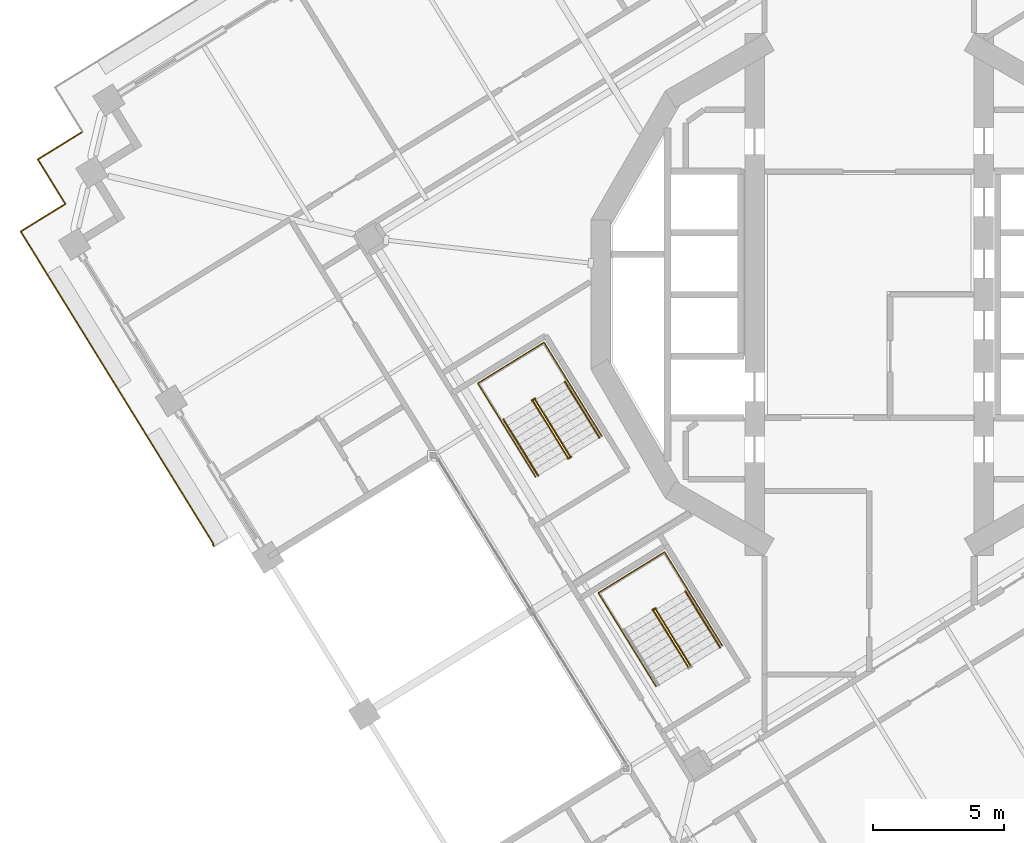
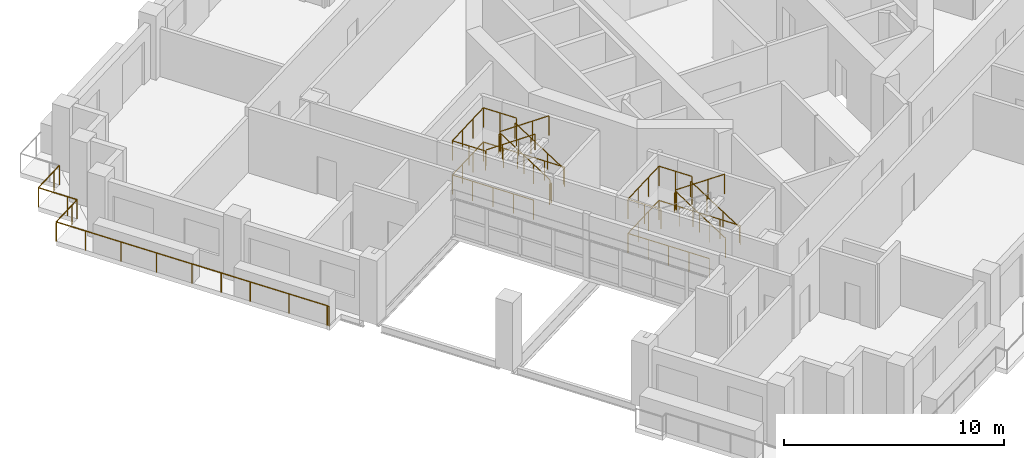
# One storey, part 16 of 22: 13 railings.
"""IFC4 building model written with IfcOpenShell, lengths in metres."""

from ifc_helpers import new_model, si_unit, direction, frame, origin, origin_2d, place, context, subcontext, project, spatial, circle, extrude, material, type_object, element, save


model = new_model("IFC4")

# Units and contexts
model_context = context("Model", 3, precision=1e-05, world=origin(), true_north=direction((0.0, 1.0)))
body_context = subcontext(model_context, "Body", "Model", "MODEL_VIEW")
ifc_project = project(units=[si_unit("LENGTHUNIT", "METRE"), si_unit("AREAUNIT", "SQUARE_METRE"), si_unit("VOLUMEUNIT", "CUBIC_METRE"), si_unit("PLANEANGLEUNIT", "RADIAN"), si_unit("MASSUNIT", "GRAM", prefix="KILO")], contexts=[model_context])

# Site, building, storey
site_placement = place(None, origin())
site = spatial("IfcSite", under=ifc_project, at=site_placement, CompositionType="ELEMENT")
building_placement = place(site_placement, origin())
building = spatial("IfcBuilding", under=site, at=building_placement, Name="Cantera Rosa Tower", CompositionType="ELEMENT")
storey_placement = place(building_placement, frame((0.0, 0.0, 162.800048828125)))
storey = spatial("IfcBuildingStorey", under=building, at=storey_placement, Name="L35", CompositionType="ELEMENT", Elevation=162.800048828125)

# Railings
ifc_material_1 = material(Name="Stainless steel and laminated glass", Category="steel")
railing_type_1 = type_object("IfcRailingType", Name="GUARD 1100", PredefinedType="BALUSTRADE", material=ifc_material_1)
railing_1_placement = place(storey_placement, frame((-25.004150390625, -9.61865234375, 0.0)))
element("IfcRailing", 1, at=railing_1_placement, inside=storey, type_object=railing_type_1, Name="GUARD L35-4", PredefinedType="BALUSTRADE", context=body_context, shape_type="SweptSolid", body=[
    extrude(circle(Radius=0.030029296875, at=origin_2d()), frame((0.0, 0.0, 1.070068359375), z_axis=(-0.524771895301, 0.851242890074, 0.0), x_axis=(-0.851242890074, -0.524771895301, 0.0)), (0.0, 0.0, 1.0), 0.10107421875),
    extrude(circle(Radius=0.030029296875, at=origin_2d()), frame((-0.052978515625, 0.0859375, 1.070068359375), z_axis=(0.849761711822, 0.52716698789, 0.0), x_axis=(-0.52716698789, 0.849761711822, 0.0)), (0.0, 0.0, 1.0), 0.031005859375),
    extrude(circle(Radius=0.030029296875, at=origin_2d()), frame((-0.026611328125, 0.102294921875, 1.070068359375), z_axis=(-0.525005464251, 0.851098855896, 0.0), x_axis=(-0.851098855896, -0.525005464251, 0.0)), (0.0, 0.0, 1.0), 3.989013671875),
    extrude(circle(Radius=0.030029296875, at=origin_2d()), frame((-2.120849609375, 3.497314453125, 1.070068359375), z_axis=(-0.524964362564, 0.851124208349, 0.0), x_axis=(-0.851124208349, -0.524964362564, 0.0)), (0.0, 0.0, 1.0), 3.0),
    extrude(circle(Radius=0.030029296875, at=origin_2d()), frame((-3.69580078125, 6.05078125, 1.070068359375), z_axis=(-0.524968277683, 0.851121793533, 0.0), x_axis=(-0.851121793533, -0.524968277683, 0.0)), (0.0, 0.0, 1.0), 5.519775390625),
    extrude(circle(Radius=0.030029296875, at=origin_2d()), frame((-6.593505859375, 10.748779296875, 1.070068359375), z_axis=(-0.524986950369, 0.851110276017, 0.0), x_axis=(-0.851110276017, -0.524986950369, 0.0)), (0.0, 0.0, 1.0), 1.500244140625),
    extrude(circle(Radius=0.030029296875, at=origin_2d()), frame((-7.381103515625, 12.025634765625, 1.070068359375), z_axis=(0.85118298814, 0.524869051004, 0.0), x_axis=(-0.524869051004, 0.85118298814, 0.0)), (0.0, 0.0, 1.0), 1.5),
    extrude(circle(Radius=0.030029296875, at=origin_2d()), frame((-6.104248046875, 12.81298828125, 1.070068359375), z_axis=(0.851138143202, 0.52494176933, 0.0), x_axis=(-0.52494176933, 0.851138143202, 0.0)), (0.0, 0.0, 1.0), 0.5),
    extrude(circle(Radius=0.030029296875, at=origin_2d()), frame((-5.6787109375, 13.075439453125, 1.070068359375), z_axis=(-0.52494176933, 0.851138143202, 0.0), x_axis=(-0.851138143202, -0.52494176933, 0.0)), (0.0, 0.0, 1.0), 0.5),
    extrude(circle(Radius=0.030029296875, at=origin_2d()), frame((-5.941162109375, 13.5009765625, 1.070068359375), z_axis=(-0.524986950369, 0.851110276017, 0.0), x_axis=(-0.851110276017, -0.524986950369, 0.0)), (0.0, 0.0, 1.0), 1.500244140625),
    extrude(circle(Radius=0.030029296875, at=origin_2d()), frame((-6.728759765625, 14.77783203125, 1.070068359375), z_axis=(0.851138143202, 0.52494176933, 0.0), x_axis=(-0.52494176933, 0.851138143202, 0.0)), (0.0, 0.0, 1.0), 1.5),
    extrude(circle(Radius=0.030029296875, at=origin_2d()), frame((-5.4521484375, 15.565185546875, 1.070068359375), z_axis=(0.851138143202, 0.52494176933, 0.0), x_axis=(-0.52494176933, 0.851138143202, 0.0)), (0.0, 0.0, 1.0), 0.5),
    extrude(circle(Radius=0.02490234375, at=origin_2d()), origin(), (0.0, 0.0, 1.0), 1.0400390625),
    extrude(circle(Radius=0.02490234375, at=origin_2d()), frame((-0.052978515625, 0.0859375, 0.0)), (0.0, 0.0, 1.0), 1.0400390625),
    extrude(circle(Radius=0.02490234375, at=origin_2d()), frame((-0.026611328125, 0.102294921875, 0.0)), (0.0, 0.0, 1.0), 1.0400390625),
    extrude(circle(Radius=0.02490234375, at=origin_2d()), frame((-1.07373046875, 1.7998046875, 0.0)), (0.0, 0.0, 1.0), 1.0400390625),
    extrude(circle(Radius=0.02490234375, at=origin_2d()), frame((-2.120849609375, 3.497314453125, 0.0)), (0.0, 0.0, 1.0), 1.0400390625),
    extrude(circle(Radius=0.02490234375, at=origin_2d()), frame((-2.908203125, 4.77392578125, 0.0)), (0.0, 0.0, 1.0), 1.0400390625),
    extrude(circle(Radius=0.02490234375, at=origin_2d()), frame((-3.69580078125, 6.05078125, 0.0)), (0.0, 0.0, 1.0), 1.0400390625),
    extrude(circle(Radius=0.02490234375, at=origin_2d()), frame((-4.66162109375, 7.61669921875, 0.0)), (0.0, 0.0, 1.0), 1.0400390625),
    extrude(circle(Radius=0.02490234375, at=origin_2d()), frame((-5.627685546875, 9.182861328125, 0.0)), (0.0, 0.0, 1.0), 1.0400390625),
    extrude(circle(Radius=0.02490234375, at=origin_2d()), frame((-6.593505859375, 10.748779296875, 0.0)), (0.0, 0.0, 1.0), 1.0400390625),
    extrude(circle(Radius=0.02490234375, at=origin_2d()), frame((-7.381103515625, 12.025634765625, 0.0)), (0.0, 0.0, 1.0), 1.0400390625),
    extrude(circle(Radius=0.02490234375, at=origin_2d()), frame((-6.104248046875, 12.81298828125, 0.0)), (0.0, 0.0, 1.0), 1.0400390625),
    extrude(circle(Radius=0.02490234375, at=origin_2d()), frame((-5.6787109375, 13.075439453125, 0.0)), (0.0, 0.0, 1.0), 1.0400390625),
    extrude(circle(Radius=0.02490234375, at=origin_2d()), frame((-5.941162109375, 13.5009765625, 0.0)), (0.0, 0.0, 1.0), 1.0400390625),
    extrude(circle(Radius=0.02490234375, at=origin_2d()), frame((-6.728759765625, 14.77783203125, 0.0)), (0.0, 0.0, 1.0), 1.0400390625),
    extrude(circle(Radius=0.02490234375, at=origin_2d()), frame((-5.4521484375, 15.565185546875, 0.0)), (0.0, 0.0, 1.0), 1.0400390625),
    extrude(circle(Radius=0.02490234375, at=origin_2d()), frame((-5.026611328125, 15.82763671875, 0.0)), (0.0, 0.0, 1.0), 1.0400390625),
])
ifc_material_2 = material(Name="Steel S355J2 (EN 10025-2)", Category="steel")
railing_type_2 = type_object("IfcRailingType", Name="STAIR GUARD 1100", PredefinedType="GUARDRAIL", material=ifc_material_2)
railing_2_placement = place(storey_placement, frame((-11.42333984375, -6.165771484375, 0.18994140625)))
element("IfcRailing", 2, at=railing_2_placement, inside=storey, type_object=railing_type_2, Name="L35 ST-32 stair guard 1", PredefinedType="GUARDRAIL", context=body_context, shape_type="SweptSolid", body=[
    extrude(circle(Radius=0.02392578125, at=origin_2d()), frame((0.0, 0.0, 1.076171875), z_axis=(-0.434427613125, 0.704271375033, 0.561493080334), x_axis=(-0.851102330005, -0.524999832248, 0.0)), (0.0, 0.0, 1.0), 3.04541015625),
    extrude(circle(Radius=0.02392578125, at=origin_2d()), frame((-1.322998046875, 2.144775390625, 2.7861328125), z_axis=(-0.073711968402, 0.997279572494, 0.0), x_axis=(-0.997279572494, -0.073711968402, 0.0)), (0.0, 0.0, 1.0), 0.056396484375),
    extrude(circle(Radius=0.02392578125, at=origin_2d()), frame((-1.3271484375, 2.200927734375, 2.7861328125), z_axis=(-0.851546489876, -0.524279100842, 0.0), x_axis=(0.524279100842, -0.851546489876, 0.0)), (0.0, 0.0, 1.0), 0.14990234375),
    extrude(circle(Radius=0.02099609375, at=origin_2d()), origin(), (0.0, 0.0, 1.0), 1.052001953125),
    extrude(circle(Radius=0.02099609375, at=origin_2d()), frame((-0.44091796875, 0.71484375, 0.570068359375)), (0.0, 0.0, 1.0), 1.052001953125),
    extrude(circle(Radius=0.02099609375, at=origin_2d()), frame((-0.882080078125, 1.429931640625, 1.139892578125)), (0.0, 0.0, 1.0), 1.052001953125),
    extrude(circle(Radius=0.02099609375, at=origin_2d()), frame((-1.322998046875, 2.144775390625, 1.7099609375)), (0.0, 0.0, 1.0), 1.052001953125),
    extrude(circle(Radius=0.02099609375, at=origin_2d()), frame((-1.3271484375, 2.200927734375, 1.7099609375)), (0.0, 0.0, 1.0), 1.052001953125),
    extrude(circle(Radius=0.02099609375, at=origin_2d()), frame((-1.454833984375, 2.122314453125, 1.7099609375)), (0.0, 0.0, 1.0), 1.052001953125),
])
railing_3_placement = place(storey_placement, frame((-12.82958984375, -4.072509765625, 2.08984375)))
element("IfcRailing", 3, at=railing_3_placement, inside=storey, type_object=railing_type_2, Name="L35 ST-32 stair guard 2", PredefinedType="GUARDRAIL", context=body_context, shape_type="SweptSolid", body=[
    extrude(circle(Radius=0.02392578125, at=origin_2d()), frame((0.0, 0.0, 1.076171875), z_axis=(0.434343018426, -0.704264196543, 0.561567523823), x_axis=(0.851145618652, 0.524929648476, 0.0)), (0.0, 0.0, 1.0), 3.04541015625),
    extrude(circle(Radius=0.02099609375, at=origin_2d()), origin(), (0.0, 0.0, 1.0), 1.052001953125),
    extrude(circle(Radius=0.02099609375, at=origin_2d()), frame((0.44091796875, -0.71484375, 0.570068359375)), (0.0, 0.0, 1.0), 1.052001953125),
    extrude(circle(Radius=0.02099609375, at=origin_2d()), frame((0.8818359375, -1.429931640625, 1.14013671875)), (0.0, 0.0, 1.0), 1.052001953125),
    extrude(circle(Radius=0.02099609375, at=origin_2d()), frame((1.32275390625, -2.144775390625, 1.710205078125)), (0.0, 0.0, 1.0), 1.052001953125),
])
railing_4_placement = place(storey_placement, frame((-11.375, -6.19482421875, 0.0)))
element("IfcRailing", 4, at=railing_4_placement, inside=storey, type_object=railing_type_2, Name="L35 ST-32 stair guard 3", PredefinedType="GUARDRAIL", context=body_context, shape_type="SweptSolid", body=[
    extrude(circle(Radius=0.02392578125, at=origin_2d()), frame((0.0, 0.0, 1.076171875), z_axis=(-0.851546489876, -0.524279100842, 0.0), x_axis=(0.524279100842, -0.851546489876, 0.0)), (0.0, 0.0, 1.0), 0.14990234375),
    extrude(circle(Radius=0.02099609375, at=origin_2d()), origin(), (0.0, 0.0, 1.0), 1.052001953125),
    extrude(circle(Radius=0.02099609375, at=origin_2d()), frame((-0.127685546875, -0.07861328125, 0.0)), (0.0, 0.0, 1.0), 1.052001953125),
])
railing_5_placement = place(storey_placement, frame((-10.20751953125, -5.40185546875, 0.0)))
element("IfcRailing", 5, at=railing_5_placement, inside=storey, type_object=railing_type_2, Name="L35 ST-32 stair guard 4", PredefinedType="GUARDRAIL", context=body_context, shape_type="SweptSolid", body=[
    extrude(circle(Radius=0.02392578125, at=origin_2d()), frame((0.0, 0.0, 1.076171875), z_axis=(-0.524976478809, 0.851116735059, 0.0), x_axis=(-0.851116735059, -0.524976478809, 0.0)), (0.0, 0.0, 1.0), 4.197998046875),
    extrude(circle(Radius=0.02392578125, at=origin_2d()), frame((-2.203857421875, 3.572998046875, 1.076171875), z_axis=(-0.851132917336, -0.524950242429, 0.0), x_axis=(0.524950242429, -0.851132917336, 0.0)), (0.0, 0.0, 1.0), 2.969970703125),
    extrude(circle(Radius=0.02392578125, at=origin_2d()), frame((-4.731689453125, 2.013916015625, 1.076171875), z_axis=(0.524976478809, -0.851116735059, 0.0), x_axis=(0.851116735059, 0.524976478809, 0.0)), (0.0, 0.0, 1.0), 4.197998046875),
    extrude(circle(Radius=0.02099609375, at=origin_2d()), origin(), (0.0, 0.0, 1.0), 1.052001953125),
    extrude(circle(Radius=0.02099609375, at=origin_2d()), frame((-0.551025390625, 0.893310546875, 0.0)), (0.0, 0.0, 1.0), 1.052001953125),
    extrude(circle(Radius=0.02099609375, at=origin_2d()), frame((-1.10205078125, 1.78662109375, 0.0)), (0.0, 0.0, 1.0), 1.052001953125),
    extrude(circle(Radius=0.02099609375, at=origin_2d()), frame((-1.65283203125, 2.6796875, 0.0)), (0.0, 0.0, 1.0), 1.052001953125),
    extrude(circle(Radius=0.02099609375, at=origin_2d()), frame((-2.203857421875, 3.572998046875, 0.0)), (0.0, 0.0, 1.0), 1.052001953125),
    extrude(circle(Radius=0.02099609375, at=origin_2d()), frame((-3.04638671875, 3.05322265625, 0.0)), (0.0, 0.0, 1.0), 1.052001953125),
    extrude(circle(Radius=0.02099609375, at=origin_2d()), frame((-3.88916015625, 2.53369140625, 0.0)), (0.0, 0.0, 1.0), 1.052001953125),
    extrude(circle(Radius=0.02099609375, at=origin_2d()), frame((-4.731689453125, 2.013916015625, 0.0)), (0.0, 0.0, 1.0), 1.052001953125),
    extrude(circle(Radius=0.02099609375, at=origin_2d()), frame((-4.1806640625, 1.12060546875, 0.0)), (0.0, 0.0, 1.0), 1.052001953125),
    extrude(circle(Radius=0.02099609375, at=origin_2d()), frame((-3.6298828125, 0.2275390625, 0.0)), (0.0, 0.0, 1.0), 1.052001953125),
    extrude(circle(Radius=0.02099609375, at=origin_2d()), frame((-3.078857421875, -0.665771484375, 0.0)), (0.0, 0.0, 1.0), 1.052001953125),
    extrude(circle(Radius=0.02099609375, at=origin_2d()), frame((-2.52783203125, -1.55908203125, 0.0)), (0.0, 0.0, 1.0), 1.052001953125),
])
railing_6_placement = place(storey_placement, frame((-11.517822265625, -3.27734375, 1.89990234375)))
element("IfcRailing", 6, at=railing_6_placement, inside=storey, type_object=railing_type_2, Name="L35 ST-32 stair guard 5", PredefinedType="GUARDRAIL", context=body_context, shape_type="SweptSolid", body=[
    extrude(circle(Radius=0.02392578125, at=origin_2d()), frame((0.0, 0.0, 1.076171875), z_axis=(-0.525025534833, 0.851086474909, 0.0), x_axis=(-0.851086474909, -0.525025534833, 0.0)), (0.0, 0.0, 1.0), 1.701904296875),
    extrude(circle(Radius=0.02392578125, at=origin_2d()), frame((-0.8935546875, 1.448486328125, 1.076171875), z_axis=(-0.851132917336, -0.524950242429, 0.0), x_axis=(0.524950242429, -0.851132917336, 0.0)), (0.0, 0.0, 1.0), 2.969970703125),
    extrude(circle(Radius=0.02392578125, at=origin_2d()), frame((-3.42138671875, -0.110595703125, 1.076171875), z_axis=(0.524961441845, -0.851126009811, 0.0), x_axis=(0.851126009811, 0.524961441845, 0.0)), (0.0, 0.0, 1.0), 1.7021484375),
    extrude(circle(Radius=0.02099609375, at=origin_2d()), origin(), (0.0, 0.0, 1.0), 1.052001953125),
    extrude(circle(Radius=0.02099609375, at=origin_2d()), frame((-0.44677734375, 0.72412109375, 0.0)), (0.0, 0.0, 1.0), 1.052001953125),
    extrude(circle(Radius=0.02099609375, at=origin_2d()), frame((-0.8935546875, 1.448486328125, 0.0)), (0.0, 0.0, 1.0), 1.052001953125),
    extrude(circle(Radius=0.02099609375, at=origin_2d()), frame((-1.736083984375, 0.9287109375, 0.0)), (0.0, 0.0, 1.0), 1.052001953125),
    extrude(circle(Radius=0.02099609375, at=origin_2d()), frame((-2.578857421875, 0.4091796875, 0.0)), (0.0, 0.0, 1.0), 1.052001953125),
    extrude(circle(Radius=0.02099609375, at=origin_2d()), frame((-3.42138671875, -0.110595703125, 0.0)), (0.0, 0.0, 1.0), 1.052001953125),
    extrude(circle(Radius=0.02099609375, at=origin_2d()), frame((-2.974609375, -0.8349609375, 0.0)), (0.0, 0.0, 1.0), 1.052001953125),
    extrude(circle(Radius=0.02099609375, at=origin_2d()), frame((-2.52783203125, -1.559326171875, 0.0)), (0.0, 0.0, 1.0), 1.052001953125),
])
railing_7_placement = place(storey_placement, frame((-6.8232421875, -14.165771484375, 0.18994140625)))
element("IfcRailing", 7, at=railing_7_placement, inside=storey, type_object=railing_type_2, Name="L35 ST-33 stair guard 1", PredefinedType="GUARDRAIL", context=body_context, shape_type="SweptSolid", body=[
    extrude(circle(Radius=0.02392578125, at=origin_2d()), frame((0.0, 0.0, 1.076171875), z_axis=(-0.434427613125, 0.704271375033, 0.561493080334), x_axis=(-0.851102330005, -0.524999832248, 0.0)), (0.0, 0.0, 1.0), 3.04541015625),
    extrude(circle(Radius=0.02392578125, at=origin_2d()), frame((-1.322998046875, 2.144775390625, 2.7861328125), z_axis=(-0.073711968402, 0.997279572494, 0.0), x_axis=(-0.997279572494, -0.073711968402, 0.0)), (0.0, 0.0, 1.0), 0.056396484375),
    extrude(circle(Radius=0.02392578125, at=origin_2d()), frame((-1.3271484375, 2.200927734375, 2.7861328125), z_axis=(-0.851546489876, -0.524279100842, 0.0), x_axis=(0.524279100842, -0.851546489876, 0.0)), (0.0, 0.0, 1.0), 0.14990234375),
    extrude(circle(Radius=0.02099609375, at=origin_2d()), origin(), (0.0, 0.0, 1.0), 1.052001953125),
    extrude(circle(Radius=0.02099609375, at=origin_2d()), frame((-0.44091796875, 0.71484375, 0.570068359375)), (0.0, 0.0, 1.0), 1.052001953125),
    extrude(circle(Radius=0.02099609375, at=origin_2d()), frame((-0.882080078125, 1.429931640625, 1.139892578125)), (0.0, 0.0, 1.0), 1.052001953125),
    extrude(circle(Radius=0.02099609375, at=origin_2d()), frame((-1.322998046875, 2.144775390625, 1.7099609375)), (0.0, 0.0, 1.0), 1.052001953125),
    extrude(circle(Radius=0.02099609375, at=origin_2d()), frame((-1.3271484375, 2.200927734375, 1.7099609375)), (0.0, 0.0, 1.0), 1.052001953125),
    extrude(circle(Radius=0.02099609375, at=origin_2d()), frame((-1.454833984375, 2.122314453125, 1.7099609375)), (0.0, 0.0, 1.0), 1.052001953125),
])
railing_8_placement = place(storey_placement, frame((-8.229736328125, -12.072509765625, 2.08984375)))
element("IfcRailing", 8, at=railing_8_placement, inside=storey, type_object=railing_type_2, Name="L35 ST-33 stair guard 2", PredefinedType="GUARDRAIL", context=body_context, shape_type="SweptSolid", body=[
    extrude(circle(Radius=0.02392578125, at=origin_2d()), frame((0.0, 0.0, 1.076171875), z_axis=(0.434408057947, -0.704239673199, 0.561547969352), x_axis=(0.851102330005, 0.524999832248, 0.0)), (0.0, 0.0, 1.0), 3.04541015625),
    extrude(circle(Radius=0.02099609375, at=origin_2d()), origin(), (0.0, 0.0, 1.0), 1.052001953125),
    extrude(circle(Radius=0.02099609375, at=origin_2d()), frame((0.44091796875, -0.71484375, 0.570068359375)), (0.0, 0.0, 1.0), 1.052001953125),
    extrude(circle(Radius=0.02099609375, at=origin_2d()), frame((0.882080078125, -1.429931640625, 1.14013671875)), (0.0, 0.0, 1.0), 1.052001953125),
    extrude(circle(Radius=0.02099609375, at=origin_2d()), frame((1.322998046875, -2.144775390625, 1.710205078125)), (0.0, 0.0, 1.0), 1.052001953125),
])
railing_9_placement = place(storey_placement, frame((-5.607421875, -13.40185546875, 0.0)))
element("IfcRailing", 9, at=railing_9_placement, inside=storey, type_object=railing_type_2, Name="L35 ST-33 stair guard 4", PredefinedType="GUARDRAIL", context=body_context, shape_type="SweptSolid", body=[
    extrude(circle(Radius=0.02392578125, at=origin_2d()), frame((0.0, 0.0, 1.076171875), z_axis=(-0.524976478809, 0.851116735059, 0.0), x_axis=(-0.851116735059, -0.524976478809, 0.0)), (0.0, 0.0, 1.0), 4.197998046875),
    extrude(circle(Radius=0.02392578125, at=origin_2d()), frame((-2.203857421875, 3.572998046875, 1.076171875), z_axis=(-0.851132917336, -0.524950242429, 0.0), x_axis=(0.524950242429, -0.851132917336, 0.0)), (0.0, 0.0, 1.0), 2.969970703125),
    extrude(circle(Radius=0.02392578125, at=origin_2d()), frame((-4.731689453125, 2.013916015625, 1.076171875), z_axis=(0.524976478809, -0.851116735059, 0.0), x_axis=(0.851116735059, 0.524976478809, 0.0)), (0.0, 0.0, 1.0), 4.197998046875),
    extrude(circle(Radius=0.02099609375, at=origin_2d()), origin(), (0.0, 0.0, 1.0), 1.052001953125),
    extrude(circle(Radius=0.02099609375, at=origin_2d()), frame((-0.551025390625, 0.893310546875, 0.0)), (0.0, 0.0, 1.0), 1.052001953125),
    extrude(circle(Radius=0.02099609375, at=origin_2d()), frame((-1.10205078125, 1.78662109375, 0.0)), (0.0, 0.0, 1.0), 1.052001953125),
    extrude(circle(Radius=0.02099609375, at=origin_2d()), frame((-1.65283203125, 2.6796875, 0.0)), (0.0, 0.0, 1.0), 1.052001953125),
    extrude(circle(Radius=0.02099609375, at=origin_2d()), frame((-2.203857421875, 3.572998046875, 0.0)), (0.0, 0.0, 1.0), 1.052001953125),
    extrude(circle(Radius=0.02099609375, at=origin_2d()), frame((-3.04638671875, 3.05322265625, 0.0)), (0.0, 0.0, 1.0), 1.052001953125),
    extrude(circle(Radius=0.02099609375, at=origin_2d()), frame((-3.88916015625, 2.53369140625, 0.0)), (0.0, 0.0, 1.0), 1.052001953125),
    extrude(circle(Radius=0.02099609375, at=origin_2d()), frame((-4.731689453125, 2.013916015625, 0.0)), (0.0, 0.0, 1.0), 1.052001953125),
    extrude(circle(Radius=0.02099609375, at=origin_2d()), frame((-4.1806640625, 1.12060546875, 0.0)), (0.0, 0.0, 1.0), 1.052001953125),
    extrude(circle(Radius=0.02099609375, at=origin_2d()), frame((-3.6298828125, 0.2275390625, 0.0)), (0.0, 0.0, 1.0), 1.052001953125),
    extrude(circle(Radius=0.02099609375, at=origin_2d()), frame((-3.078857421875, -0.665771484375, 0.0)), (0.0, 0.0, 1.0), 1.052001953125),
    extrude(circle(Radius=0.02099609375, at=origin_2d()), frame((-2.52783203125, -1.55908203125, 0.0)), (0.0, 0.0, 1.0), 1.052001953125),
])
railing_10_placement = place(storey_placement, frame((-6.917724609375, -11.27734375, 1.89990234375)))
element("IfcRailing", 10, at=railing_10_placement, inside=storey, type_object=railing_type_2, Name="L35 ST-33 stair guard 5", PredefinedType="GUARDRAIL", context=body_context, shape_type="SweptSolid", body=[
    extrude(circle(Radius=0.02392578125, at=origin_2d()), frame((0.0, 0.0, 1.076171875), z_axis=(-0.525025534833, 0.851086474909, 0.0), x_axis=(-0.851086474909, -0.525025534833, 0.0)), (0.0, 0.0, 1.0), 1.701904296875),
    extrude(circle(Radius=0.02392578125, at=origin_2d()), frame((-0.8935546875, 1.448486328125, 1.076171875), z_axis=(-0.851132917336, -0.524950242429, 0.0), x_axis=(0.524950242429, -0.851132917336, 0.0)), (0.0, 0.0, 1.0), 2.969970703125),
    extrude(circle(Radius=0.02392578125, at=origin_2d()), frame((-3.42138671875, -0.110595703125, 1.076171875), z_axis=(0.524961441845, -0.851126009811, 0.0), x_axis=(0.851126009811, 0.524961441845, 0.0)), (0.0, 0.0, 1.0), 1.7021484375),
    extrude(circle(Radius=0.02099609375, at=origin_2d()), origin(), (0.0, 0.0, 1.0), 1.052001953125),
    extrude(circle(Radius=0.02099609375, at=origin_2d()), frame((-0.44677734375, 0.72412109375, 0.0)), (0.0, 0.0, 1.0), 1.052001953125),
    extrude(circle(Radius=0.02099609375, at=origin_2d()), frame((-0.8935546875, 1.448486328125, 0.0)), (0.0, 0.0, 1.0), 1.052001953125),
    extrude(circle(Radius=0.02099609375, at=origin_2d()), frame((-1.736083984375, 0.9287109375, 0.0)), (0.0, 0.0, 1.0), 1.052001953125),
    extrude(circle(Radius=0.02099609375, at=origin_2d()), frame((-2.578857421875, 0.4091796875, 0.0)), (0.0, 0.0, 1.0), 1.052001953125),
    extrude(circle(Radius=0.02099609375, at=origin_2d()), frame((-3.42138671875, -0.110595703125, 0.0)), (0.0, 0.0, 1.0), 1.052001953125),
    extrude(circle(Radius=0.02099609375, at=origin_2d()), frame((-2.974609375, -0.8349609375, 0.0)), (0.0, 0.0, 1.0), 1.052001953125),
    extrude(circle(Radius=0.02099609375, at=origin_2d()), frame((-2.52783203125, -1.559326171875, 0.0)), (0.0, 0.0, 1.0), 1.052001953125),
])
ifc_material_3 = material(Name="Steel S355J2 (EN 10025-2)", Category="steel")
railing_type_3 = type_object("IfcRailingType", Name="STAIR HANDRAIL 900", PredefinedType="HANDRAIL", material=ifc_material_3)
railing_11_placement = place(storey_placement, frame((-10.294677734375, -5.4697265625, 0.18994140625)))
element("IfcRailing", 11, at=railing_11_placement, inside=storey, type_object=railing_type_3, Name="L35 ST-32 stair handrail 1", PredefinedType="HANDRAIL", context=body_context, shape_type="SweptSolid", body=[
    extrude(circle(Radius=0.02392578125, at=origin_2d()), frame((0.0, 0.0, 0.8759765625), z_axis=(-0.434427613125, 0.704271375033, 0.561493080334), x_axis=(-0.851102330005, -0.524999832248, 0.0)), (0.0, 0.0, 1.0), 3.04541015625),
    extrude(circle(Radius=0.02099609375, at=origin_2d()), origin(), (0.0, 0.0, 1.0), 0.851806640625),
    extrude(circle(Radius=0.02099609375, at=origin_2d()), frame((-0.44091796875, 0.71484375, 0.570068359375)), (0.0, 0.0, 1.0), 0.851806640625),
    extrude(circle(Radius=0.02099609375, at=origin_2d()), frame((-0.882080078125, 1.429931640625, 1.139892578125)), (0.0, 0.0, 1.0), 0.851806640625),
    extrude(circle(Radius=0.02099609375, at=origin_2d()), frame((-1.322998046875, 2.144775390625, 1.7099609375)), (0.0, 0.0, 1.0), 0.851806640625),
])
railing_12_placement = place(storey_placement, frame((-13.958251953125, -4.7685546875, 2.08984375)))
element("IfcRailing", 12, at=railing_12_placement, inside=storey, type_object=railing_type_3, Name="L35 ST-32 stair handrail 2", PredefinedType="HANDRAIL", context=body_context, shape_type="SweptSolid", body=[
    extrude(circle(Radius=0.02392578125, at=origin_2d()), frame((0.0, 0.0, 0.8759765625), z_axis=(0.434408057947, -0.704239673199, 0.561547969352), x_axis=(0.851102330005, 0.524999832248, 0.0)), (0.0, 0.0, 1.0), 3.04541015625),
    extrude(circle(Radius=0.02099609375, at=origin_2d()), origin(), (0.0, 0.0, 1.0), 0.851806640625),
    extrude(circle(Radius=0.02099609375, at=origin_2d()), frame((0.44091796875, -0.71484375, 0.570068359375)), (0.0, 0.0, 1.0), 0.851806640625),
    extrude(circle(Radius=0.02099609375, at=origin_2d()), frame((0.882080078125, -1.429931640625, 1.14013671875)), (0.0, 0.0, 1.0), 0.851806640625),
    extrude(circle(Radius=0.02099609375, at=origin_2d()), frame((1.322998046875, -2.144775390625, 1.710205078125)), (0.0, 0.0, 1.0), 0.851806640625),
])
railing_13_placement = place(storey_placement, frame((-5.69482421875, -13.4697265625, 0.18994140625)))
element("IfcRailing", 13, at=railing_13_placement, inside=storey, type_object=railing_type_3, Name="L35 ST-33 stair handrail 1", PredefinedType="HANDRAIL", context=body_context, shape_type="SweptSolid", body=[
    extrude(circle(Radius=0.02392578125, at=origin_2d()), frame((0.0, 0.0, 0.8759765625), z_axis=(-0.434362572038, 0.70429590169, 0.561512634654), x_axis=(-0.851145618652, -0.524929648476, 0.0)), (0.0, 0.0, 1.0), 3.045166015625),
    extrude(circle(Radius=0.02099609375, at=origin_2d()), origin(), (0.0, 0.0, 1.0), 0.851806640625),
    extrude(circle(Radius=0.02099609375, at=origin_2d()), frame((-0.44091796875, 0.71484375, 0.570068359375)), (0.0, 0.0, 1.0), 0.851806640625),
    extrude(circle(Radius=0.02099609375, at=origin_2d()), frame((-0.8818359375, 1.429931640625, 1.139892578125)), (0.0, 0.0, 1.0), 0.851806640625),
    extrude(circle(Radius=0.02099609375, at=origin_2d()), frame((-1.32275390625, 2.144775390625, 1.7099609375)), (0.0, 0.0, 1.0), 0.851806640625),
])

save(model, "model.ifc")
